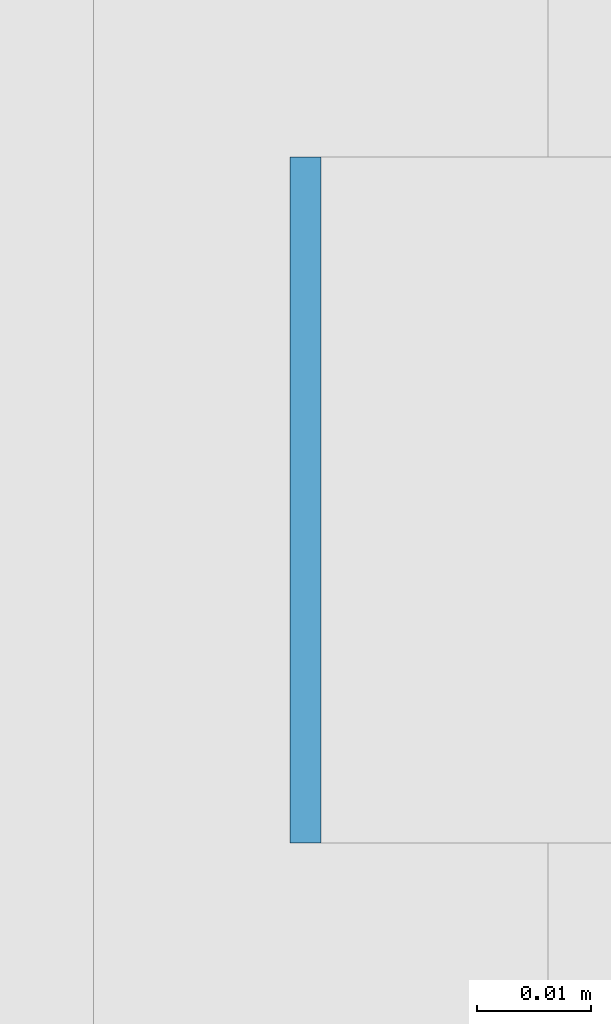
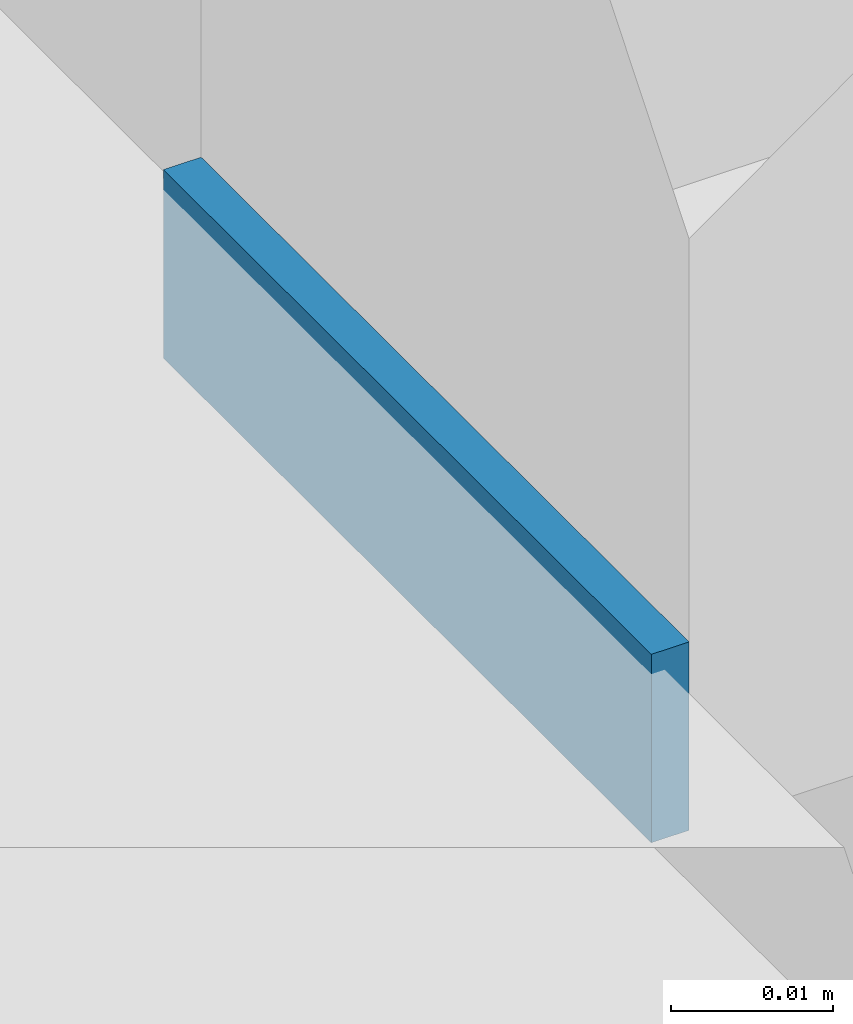
# One storey, part 568 of 646: 1 discrete accessory.
"""IFC4 building model written with IfcOpenShell, lengths in metres."""

from ifc_helpers import new_model, si_unit, direction, frame, origin, origin_2d, place, context, subcontext, project, spatial, rectangle, extrude, material, type_object, element, save


model = new_model("IFC4")

# Units and contexts
model_context = context("Model", 3, precision=1e-05, world=origin(), true_north=direction((0.0, 1.0)))
body_context = subcontext(model_context, "Body", "Model", "MODEL_VIEW")
ifc_project = project(units=[si_unit("LENGTHUNIT", "METRE"), si_unit("AREAUNIT", "SQUARE_METRE"), si_unit("VOLUMEUNIT", "CUBIC_METRE"), si_unit("PLANEANGLEUNIT", "RADIAN"), si_unit("MASSUNIT", "GRAM", prefix="KILO")], contexts=[model_context])

# Site, building, storey
site_placement = place(None, origin())
site = spatial("IfcSite", under=ifc_project, at=site_placement, CompositionType="ELEMENT")
building_placement = place(site_placement, origin())
building = spatial("IfcBuilding", under=site, at=building_placement, Name="Silverbay Arena", CompositionType="ELEMENT")
storey_placement = place(building_placement, frame((0.0, 0.0, 33.5)))
storey = spatial("IfcBuildingStorey", under=building, at=storey_placement, Name="L05", CompositionType="ELEMENT", Elevation=33.5)

# Discrete accessory
ifc_material = material(Name="Steel S355", Category="steel")
discrete_accessory_type = type_object("IfcDiscreteAccessoryType", Name="Steel bracket plate", PredefinedType="BRACKET", material=ifc_material)
discrete_accessory_placement = place(storey_placement, frame((207.128662109375, 105.428466796875, 4.0), z_axis=(0.0, 0.0, 1.0), x_axis=(1.0, 0.0, 0.0)))
element("IfcDiscreteAccessory", 1, at=discrete_accessory_placement, inside=storey, type_object=discrete_accessory_type, Name="Curtain wall packing plate", PredefinedType="BRACKET", context=body_context, shape_type="SweptSolid", body=[
    extrude(rectangle(XDim=0.002685546875, YDim=0.06005859375, at=origin_2d()), origin(), (0.0, 0.0, 1.0), 0.01416015625),
])

save(model, "model.ifc")
